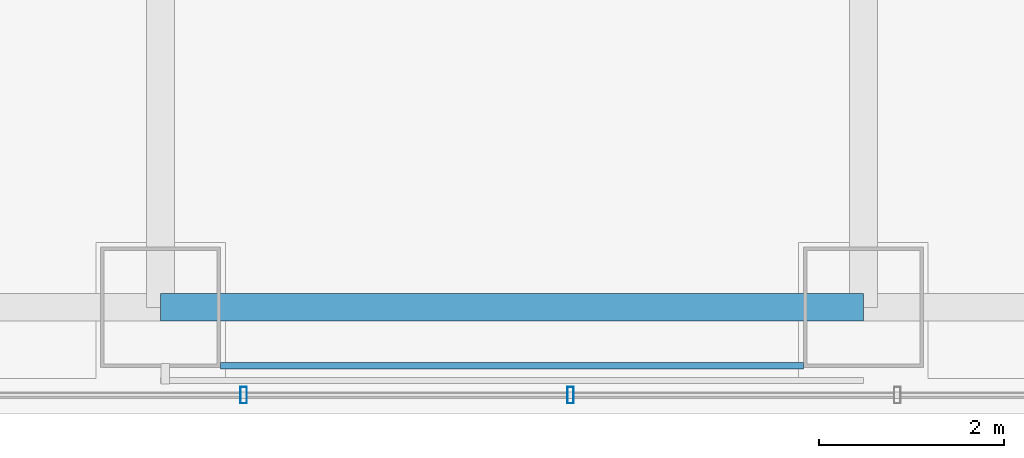
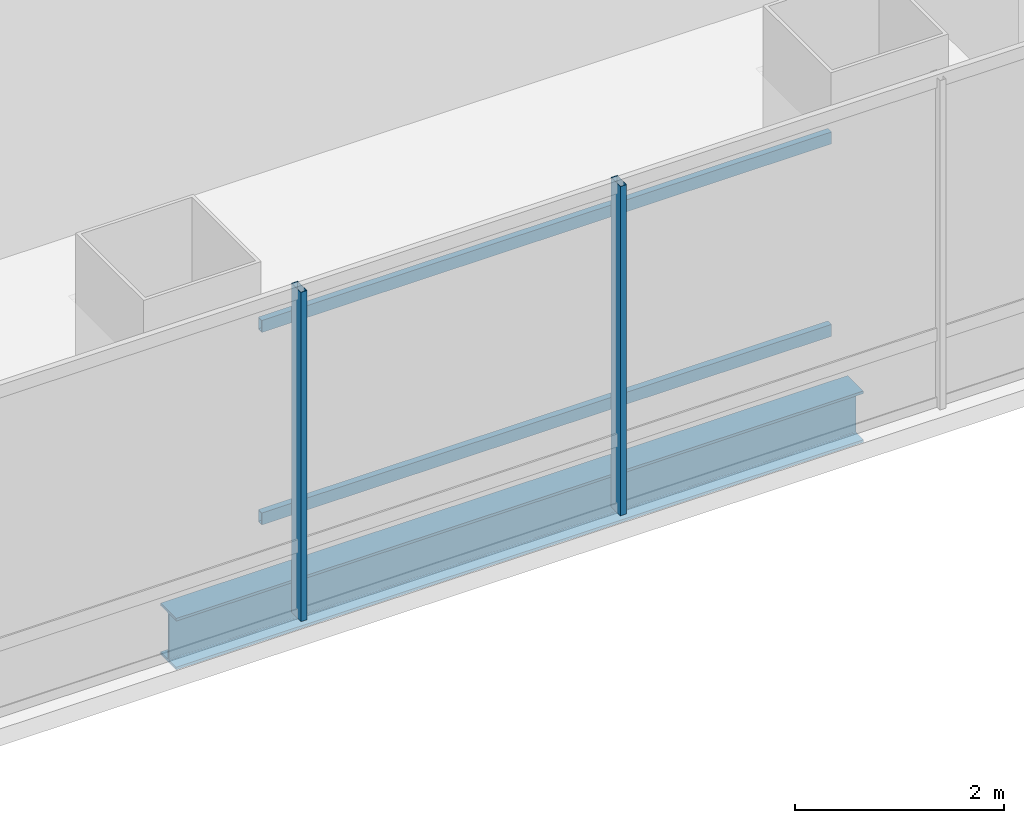
# One storey, part 6 of 42: 4 members, 1 beam, 1 element without a shape of its own.
"""IFC4 building model written with IfcOpenShell, lengths in metres."""

from ifc_helpers import new_model, si_unit, direction, frame, origin, origin_2d, place, context, subcontext, project, spatial, hollow_rectangle, i_section, extrude, material, material_profile, profile_set, type_object, element, aggregate, save


model = new_model("IFC4")

# Units and contexts
model_context = context("Model", 3, precision=1e-05, world=origin(), true_north=direction((0.0, 1.0)))
body_context = subcontext(model_context, "Body", "Model", "MODEL_VIEW")
ifc_project = project(units=[si_unit("LENGTHUNIT", "METRE"), si_unit("AREAUNIT", "SQUARE_METRE"), si_unit("VOLUMEUNIT", "CUBIC_METRE"), si_unit("PLANEANGLEUNIT", "RADIAN"), si_unit("MASSUNIT", "GRAM", prefix="KILO")], contexts=[model_context])

# Site, building, storey
site_placement = place(None, origin())
site = spatial("IfcSite", under=ifc_project, at=site_placement, CompositionType="ELEMENT")
building_placement = place(site_placement, origin())
building = spatial("IfcBuilding", under=site, at=building_placement, Name="Punatoya Terracotta Tower", CompositionType="ELEMENT")
storey_placement = place(building_placement, frame((0.0, 0.0, 255.449951171875)))
storey = spatial("IfcBuildingStorey", under=building, at=storey_placement, Name="L60", CompositionType="ELEMENT", Elevation=255.449951171875)

# Beam
ifc_material_1 = material(Name="Steel S355", Category="steel")
ifc_material_profile_1 = material_profile(ifc_material_1, i_section(OverallWidth=0.300048828125, OverallDepth=0.60009765625, WebThickness=0.015380859375, FlangeThickness=0.030029296875, FilletRadius=0.01806640625, at=origin_2d()))
ifc_profile_set_1 = profile_set([ifc_material_profile_1], Name="Steel S355")
beam_type = type_object("IfcBeamType", Name="BM-PRI-600", PredefinedType="BEAM", material=ifc_profile_set_1)
beam_placement = place(storey_placement, frame((-3.800048828125, -17.5, -0.5), z_axis=(1.0, 0.0, 0.0), x_axis=(0.0, 1.0, 0.0)))
element("IfcBeam", 1, at=beam_placement, inside=storey, type_object=beam_type, Name="BM-L60-RG-S2", PredefinedType="BEAM", context=body_context, shape_type="SweptSolid", body=[
    extrude(i_section(OverallWidth=0.300048828125, OverallDepth=0.60009765625, WebThickness=0.015380859375, FlangeThickness=0.030029296875, FilletRadius=0.01806640625, at=origin_2d()), origin(), (0.0, 0.0, 1.0), 7.60009765625),
])

# Curtain wall, members
ifc_material_2 = material(Name="Aluminium 6063-T6 + Double Low-E Glass", Category="aluminium")
curtain_wall_type = type_object("IfcCurtainWallType", Name="CW-M3", PredefinedType="NOTDEFINED", material=ifc_material_2)
curtain_wall_placement = place(storey_placement, origin())
curtain_wall = element("IfcCurtainWall", 2, at=curtain_wall_placement, inside=storey, type_object=curtain_wall_type, Name="L60 Curtain Wall CW-L60-S01-1", PredefinedType="NOTDEFINED")
ifc_material_3 = material(Name="Aluminium 6063-T6", Category="aluminium")
ifc_material_profile_2 = material_profile(ifc_material_3, hollow_rectangle(XDim=0.070068359375, YDim=0.179931640625, WallThickness=0.00390625, at=origin_2d()))
ifc_profile_set_2 = profile_set([ifc_material_profile_2], Name="Aluminium 6063-T6")
member_type_1 = type_object("IfcMemberType", Name="CW-MUL-M3", PredefinedType="MULLION", material=ifc_profile_set_2)
member_1_placement = place(storey_placement, frame((-2.90087890625, -18.449951171875, 0.0), z_axis=(0.0, 0.0, 1.0), x_axis=(1.0, 0.0, 0.0)))
member_1 = element("IfcMember", 3, at=member_1_placement, type_object=member_type_1, Name="CW-L60-S01-1 Mullion 04", PredefinedType="MULLION", context=body_context, shape_type="SweptSolid", body=[
    extrude(hollow_rectangle(XDim=0.070068359375, YDim=0.179931640625, WallThickness=0.00390625, at=origin_2d()), origin(), (0.0, 0.0, 1.0), 3.85009765625),
])
member_2_placement = place(storey_placement, frame((0.633056640625, -18.449951171875, 0.0), z_axis=(0.0, 0.0, 1.0), x_axis=(1.0, 0.0, 0.0)))
member_2 = element("IfcMember", 4, at=member_2_placement, type_object=member_type_1, Name="CW-L60-S01-1 Mullion 05", PredefinedType="MULLION", context=body_context, shape_type="SweptSolid", body=[
    extrude(hollow_rectangle(XDim=0.070068359375, YDim=0.179931640625, WallThickness=0.00390625, at=origin_2d()), origin(), (0.0, 0.0, 1.0), 3.85009765625),
])
aggregate(curtain_wall, [member_1, member_2])

# Members
ifc_material_profile_3 = material_profile(ifc_material_1, hollow_rectangle(XDim=0.070068359375, YDim=0.139892578125, WallThickness=0.006103515625, at=origin_2d()))
ifc_profile_set_3 = profile_set([ifc_material_profile_3], Name="Steel S355")
member_type_2 = type_object("IfcMemberType", Name="MEM-BAG-RAIL", PredefinedType="USERDEFINED", material=ifc_profile_set_3)
for number, where, z_axis, x_axis, name in (
    (5, (-3.150390625, -18.132080078125, 1.050048828125), (1.0, 0.0, 0.0), (0.0, 1.0, 0.0), "L60 Terracotta Baguette Carrier Rail BAG-L60-S-R1"),
    (6, (-3.150390625, -18.132080078125, 3.300048828125), (1.0, 0.0, 0.0), (0.0, 1.0, 0.0), "L60 Terracotta Baguette Carrier Rail BAG-L60-S-R2"),
):
    element("IfcMember", number, at=place(storey_placement, frame(where, z_axis=z_axis, x_axis=x_axis)), inside=storey, type_object=member_type_2, Name=name, ObjectType="BAGUETTE", PredefinedType="USERDEFINED", context=body_context, shape_type="SweptSolid", body=[
        extrude(hollow_rectangle(XDim=0.070068359375, YDim=0.139892578125, WallThickness=0.006103515625, at=origin_2d()), origin(), (0.0, 0.0, 1.0), 6.30078125),
    ])

save(model, "model.ifc")
